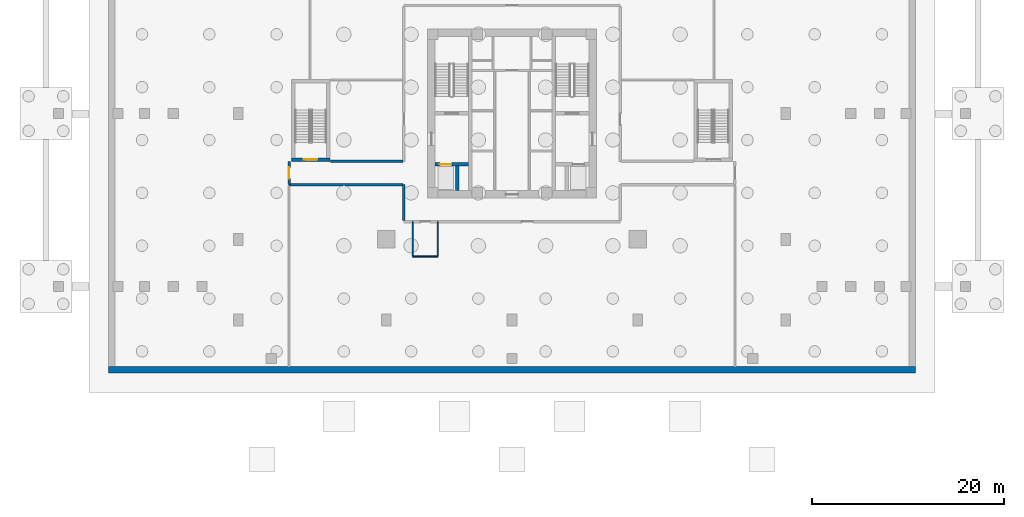
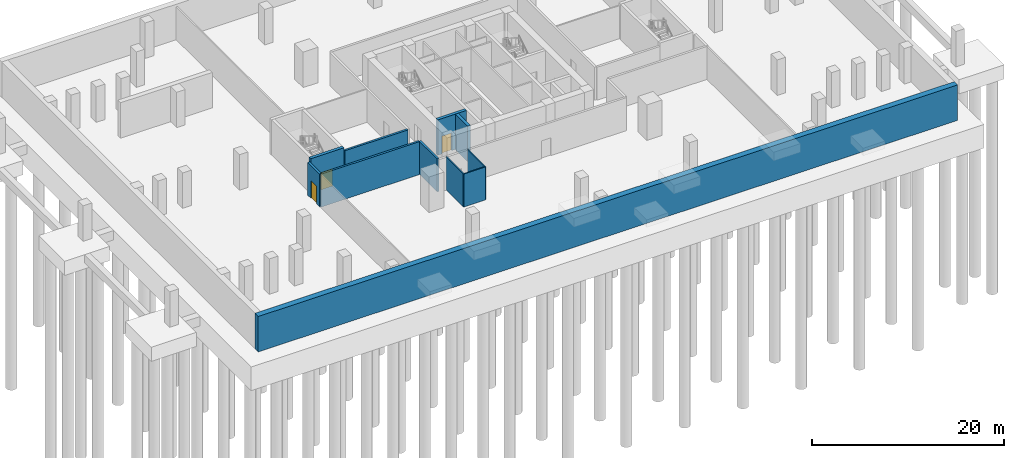
# One storey, part 3 of 8: 11 walls, 3 doors, 3 openings.
"""IFC4 building model written with IfcOpenShell, lengths in metres."""

from ifc_helpers import new_model, si_unit, direction, frame, frame_2d, origin, place, context, subcontext, project, spatial, rectangle, extrude, source, transform, mapped, material, layer, layer_set, type_object, element, fill, save


model = new_model("IFC4")

# Units and contexts
model_context = context("Model", 3, precision=1e-05, world=origin(), true_north=direction((0.0, 1.0)))
body_context = subcontext(model_context, "Body", "Model", "MODEL_VIEW")
ifc_project = project(units=[si_unit("LENGTHUNIT", "METRE"), si_unit("AREAUNIT", "SQUARE_METRE"), si_unit("VOLUMEUNIT", "CUBIC_METRE"), si_unit("PLANEANGLEUNIT", "RADIAN"), si_unit("MASSUNIT", "GRAM", prefix="KILO"), si_unit("THERMODYNAMICTEMPERATUREUNIT", "KELVIN")], contexts=[model_context])

# Site, building, storey
site_placement = place(None, origin())
site = spatial("IfcSite", under=ifc_project, at=site_placement, CompositionType="ELEMENT")
building_placement = place(site_placement, origin())
building = spatial("IfcBuilding", under=site, at=building_placement, Name="Kosmvard Interchange Tower", CompositionType="ELEMENT")
storey_placement = place(building_placement, frame((0.0, 0.0, -9.0)))
storey = spatial("IfcBuildingStorey", under=building, at=storey_placement, Name="B02", CompositionType="ELEMENT", Elevation=-9.0)

# Walls
ifc_material_1 = material(Name="Concrete C50/60", Category="concrete")
ifc_layer_1 = layer(ifc_material_1, 0.699951171875, Name="Concrete C50/60")
ifc_layer_set_1 = layer_set([ifc_layer_1], Name="Concrete C50/60")
wall_type_1 = type_object("IfcWallType", Name="Basement Perimeter Retaining Wall 700 C50/60", PredefinedType="USERDEFINED", material=ifc_layer_set_1)
wall_1_placement = place(storey_placement, frame((-42.0, -26.64990234375, 0.0), z_axis=(0.0, 0.0, 1.0), x_axis=(1.0, 0.0, 0.0)))
element("IfcWall", 1, at=wall_1_placement, inside=storey, type_object=wall_type_1, Name="B02 Basement Retaining Wall RW-S", ObjectType="RETAINING", PredefinedType="USERDEFINED", context=body_context, shape_type="SweptSolid", body=[
    extrude(rectangle(XDim=84.0, YDim=0.699951171875, at=frame_2d((42.0, 0.0))), origin(), (0.0, 0.0, 1.0), 4.5),
])
ifc_material_2 = material(Name="Concrete blockwork masonry", Category="masonry")
ifc_layer_2 = layer(ifc_material_2, 0.25, Name="Concrete blockwork masonry")
ifc_layer_set_2 = layer_set([ifc_layer_2], Name="Concrete blockwork masonry")
wall_type_2 = type_object("IfcWallType", Name="Exit Passage & Firefighting Lobby Wall 250", PredefinedType="PARTITIONING", material=ifc_layer_set_2)
wall_2_placement = place(storey_placement, frame((-11.25, -11.14990234375, 0.0), z_axis=(0.0, 0.0, 1.0), x_axis=(0.0, 1.0, 0.0)))
element("IfcWall", 2, at=wall_2_placement, inside=storey, type_object=wall_type_2, Name="B02 Corridor Wall CWS", PredefinedType="PARTITIONING", context=body_context, shape_type="SweptSolid", body=[
    extrude(rectangle(XDim=3.75, YDim=0.25, at=frame_2d((1.875, 0.0))), origin(), (0.0, 0.0, 1.0), 4.179931640625),
])
wall_3_placement = place(storey_placement, frame((-23.199951171875, -7.39990234375, 0.0), z_axis=(0.0, 0.0, 1.0), x_axis=(1.0, 0.0, 0.0)))
element("IfcWall", 3, at=wall_3_placement, inside=storey, type_object=wall_type_2, Name="B02 Corridor Wall SWS", PredefinedType="PARTITIONING", context=body_context, shape_type="SweptSolid", body=[
    extrude(rectangle(XDim=11.849853515625, YDim=0.25, at=frame_2d((5.9248046875, 0.0))), origin(), (0.0, 0.0, 1.0), 4.179931640625),
])
wall_4_placement = place(storey_placement, frame((-18.89990234375, -4.9599609375, 0.0), z_axis=(0.0, 0.0, 1.0), x_axis=(1.0, 0.0, 0.0)))
element("IfcWall", 4, at=wall_4_placement, inside=storey, type_object=wall_type_2, Name="B02 Corridor Wall SWN", PredefinedType="PARTITIONING", context=body_context, shape_type="SweptSolid", body=[
    extrude(rectangle(XDim=7.5498046875, YDim=0.25, at=frame_2d((3.77490234375, 0.0))), origin(), (0.0, 0.0, 1.0), 4.179931640625),
])

# Wall, opening, door
wall_5_placement = place(storey_placement, frame((-23.199951171875, -7.39990234375, 0.0), z_axis=(0.0, 0.0, 1.0), x_axis=(0.0, 1.0, 0.0)))
wall_5 = element("IfcWall", 5, at=wall_5_placement, inside=storey, type_object=wall_type_2, Name="B02 Corridor Wall SWE", PredefinedType="PARTITIONING", context=body_context, shape_type="SweptSolid", body=[
    extrude(rectangle(XDim=2.43994140625, YDim=0.25, at=frame_2d((1.219970703125, 0.0))), origin(), (0.0, 0.0, 1.0), 4.179931640625),
])
opening_1_placement = place(wall_5_placement, frame((0.64501953125, 0.0, 0.0)))
opening_1 = element("IfcOpeningElement", 6, at=opening_1_placement, cuts=wall_5, Name="Opening B02-D04", PredefinedType="OPENING", context=body_context, shape_type="SweptSolid", body=[
    extrude(rectangle(XDim=1.14990234375, YDim=2.25, at=frame_2d((0.574951171875, 1.125))), frame((0.0, 0.135009765625, 0.0), z_axis=(0.0, -1.0, 0.0), x_axis=(1.0, 0.0, 0.0)), (0.0, 0.0, 1.0), 0.27001953125),
])
ifc_material_3 = material(Name="Painted fire-rated steel leaf", Category="steel")
door_type_1 = type_object("IfcDoorType", Name="Plant & Riser Fire Door 1150x2250 EI60", OperationType="NOTDEFINED", PredefinedType="DOOR", material=ifc_material_3)
shared_shape_1 = source(origin(), body_context, "Body", "SweptSolid", [
    extrude(rectangle(XDim=1.14990234375, YDim=2.25, at=frame_2d((0.574951171875, 1.125))), frame((0.0, 0.02490234375, 0.0), z_axis=(0.0, -1.0, 0.0), x_axis=(1.0, 0.0, 0.0)), (0.0, 0.0, 1.0), 0.050048828125),
])
door_1_placement = place(opening_1_placement, origin())
door_1 = element("IfcDoor", 7, at=door_1_placement, inside=storey, type_object=door_type_1, Name="B02 Fire Water Reserve Tank Room Door", OperationType="SINGLE_SWING_RIGHT", OverallHeight=2.25, OverallWidth=1.14990234375, PredefinedType="DOOR", context=body_context, shape_type="MappedRepresentation", body=[
    mapped(shared_shape_1, transform((0.0, 0.0, 0.0), scale=1.0)),
])
fill(opening_1, door_1)

ifc_material_4 = material(Name="Concrete C60/75", Category="concrete")
ifc_layer_3 = layer(ifc_material_4, 0.360107421875, Name="Concrete C60/75")
ifc_layer_set_3 = layer_set([ifc_layer_3], Name="Concrete C60/75")
wall_type_3 = type_object("IfcWallType", Name="Stair & Lift Shaft Shear Wall 360 C60/75", PredefinedType="SHEAR", material=ifc_layer_set_3)
wall_6_placement = place(storey_placement, frame((-8.0, -5.280029296875, 0.0), z_axis=(0.0, 0.0, 1.0), x_axis=(1.0, 0.0, 0.0)))
wall_6 = element("IfcWall", 8, at=wall_6_placement, inside=storey, type_object=wall_type_3, Name="B02 Shaft Shear Wall SW-FF1", PredefinedType="SHEAR", context=body_context, shape_type="SweptSolid", body=[
    extrude(rectangle(XDim=3.4599609375, YDim=0.360107421875, at=frame_2d((1.72998046875, 0.0))), origin(), (0.0, 0.0, 1.0), 4.5),
])
opening_2_placement = place(wall_6_placement, frame((0.5, 0.0, 0.0)))
opening_2 = element("IfcOpeningElement", 9, at=opening_2_placement, cuts=wall_6, Name="Opening LD-FF-1-B02", PredefinedType="OPENING", context=body_context, shape_type="SweptSolid", body=[
    extrude(rectangle(XDim=1.199951171875, YDim=2.25, at=frame_2d((0.60009765625, 1.125))), frame((0.0, 0.18994140625, 0.0), z_axis=(0.0, -1.0, 0.0), x_axis=(1.0, 0.0, 0.0)), (0.0, 0.0, 1.0), 0.380126953125),
])
ifc_material_5 = material(Name="Brushed stainless steel sliding leaf", Category="steel")
door_type_2 = type_object("IfcDoorType", Name="Firefighting Lift Sliding Landing Door 1200x2250 EI120", OperationType="DOUBLE_DOOR_SLIDING", PredefinedType="DOOR", material=ifc_material_5)
shared_shape_2 = source(origin(), body_context, "Body", "SweptSolid", [
    extrude(rectangle(XDim=1.199951171875, YDim=2.25, at=frame_2d((0.60009765625, 1.125))), frame((0.0, 0.02490234375, 0.0), z_axis=(0.0, -1.0, 0.0), x_axis=(1.0, 0.0, 0.0)), (0.0, 0.0, 1.0), 0.050048828125),
])
door_2_placement = place(opening_2_placement, origin())
door_2 = element("IfcDoor", 10, at=door_2_placement, inside=storey, type_object=door_type_2, Name="Lift FF-1 Landing Door B02", OperationType="DOUBLE_DOOR_SLIDING", OverallHeight=2.25, OverallWidth=1.199951171875, PredefinedType="DOOR", context=body_context, shape_type="MappedRepresentation", body=[
    mapped(shared_shape_2, transform((0.0, 0.0, 0.0), scale=1.0)),
])
fill(opening_2, door_2)

# Wall
wall_7_placement = place(storey_placement, frame((-5.7099609375, -8.0, 0.0), z_axis=(0.0, 0.0, 1.0), x_axis=(0.0, 1.0, 0.0)))
element("IfcWall", 11, at=wall_7_placement, inside=storey, type_object=wall_type_3, Name="B02 Shaft Shear Wall SW-SM1", PredefinedType="SHEAR", context=body_context, shape_type="SweptSolid", body=[
    extrude(rectangle(XDim=2.5400390625, YDim=0.360107421875, at=frame_2d((1.27001953125, 0.0))), origin(), (0.0, 0.0, 1.0), 4.5),
])

# Wall, opening, door
wall_8_placement = place(storey_placement, frame((-22.93994140625, -4.780029296875, 0.0), z_axis=(0.0, 0.0, 1.0), x_axis=(1.0, 0.0, 0.0)))
wall_8 = element("IfcWall", 12, at=wall_8_placement, inside=storey, type_object=wall_type_3, Name="B02 Podium Stair Shear Wall ST3S", PredefinedType="SHEAR", context=body_context, shape_type="SweptSolid", body=[
    extrude(rectangle(XDim=3.97998046875, YDim=0.360107421875, at=frame_2d((1.989990234375, 0.0))), origin(), (0.0, 0.0, 1.0), 4.5),
])
opening_3_placement = place(wall_8_placement, frame((1.2900390625, 0.0, 0.0)))
opening_3 = element("IfcOpeningElement", 13, at=opening_3_placement, cuts=wall_8, Name="Opening B02-SD3", PredefinedType="OPENING", context=body_context, shape_type="SweptSolid", body=[
    extrude(rectangle(XDim=1.39990234375, YDim=2.199951171875, at=frame_2d((0.699951171875, 1.10009765625))), frame((0.0, 0.18994140625, 0.0), z_axis=(0.0, -1.0, 0.0), x_axis=(1.0, 0.0, 0.0)), (0.0, 0.0, 1.0), 0.380126953125),
])
door_type_3 = type_object("IfcDoorType", Name="Protected Stair Door 1400x2200 FD60S", OperationType="NOTDEFINED", PredefinedType="DOOR", material=ifc_material_3)
shared_shape_3 = source(origin(), body_context, "Body", "SweptSolid", [
    extrude(rectangle(XDim=1.39990234375, YDim=2.199951171875, at=frame_2d((0.699951171875, 1.10009765625))), frame((0.0, 0.02490234375, 0.0), z_axis=(0.0, -1.0, 0.0), x_axis=(1.0, 0.0, 0.0)), (0.0, 0.0, 1.0), 0.050048828125),
])
door_3_placement = place(opening_3_placement, origin())
door_3 = element("IfcDoor", 14, at=door_3_placement, inside=storey, type_object=door_type_3, Name="B02 Podium Stair ST3 Door", OperationType="SINGLE_SWING_LEFT", OverallHeight=2.199951171875, OverallWidth=1.39990234375, PredefinedType="DOOR", context=body_context, shape_type="MappedRepresentation", body=[
    mapped(shared_shape_3, transform((0.0, 0.0, 0.0), scale=1.0)),
])
fill(opening_3, door_3)

# Walls
ifc_material_6 = material(Name="Moisture-resistant gypsum partition")
ifc_layer_4 = layer(ifc_material_6, 0.135009765625, Name="Moisture-resistant gypsum partition")
ifc_layer_set_4 = layer_set([ifc_layer_4], Name="Moisture-resistant gypsum partition")
wall_type_4 = type_object("IfcWallType", Name="Wet Room Moisture-Resistant Partition 135", PredefinedType="PARTITIONING", material=ifc_layer_set_4)
wall_9_placement = place(storey_placement, frame((-10.320068359375, -14.8701171875, 0.0), z_axis=(0.0, 0.0, 1.0), x_axis=(1.0, 0.0, 0.0)))
element("IfcWall", 15, at=wall_9_placement, inside=storey, type_object=wall_type_4, Name="B02 Washroom Partition WC1-S", PredefinedType="PARTITIONING", context=body_context, shape_type="SweptSolid", body=[
    extrude(rectangle(XDim=2.60009765625, YDim=0.135009765625, at=frame_2d((1.300048828125, 0.0))), origin(), (0.0, 0.0, 1.0), 4.179931640625),
])
for number, where, z_axis, x_axis, name in (
    (16, (-7.719970703125, -14.8701171875, 0.0), (0.0, 0.0, 1.0), (0.0, 1.0, 0.0), "B02 Washroom Partition WC1-E"),
    (17, (-10.320068359375, -14.8701171875, 0.0), (0.0, 0.0, 1.0), (0.0, 1.0, 0.0), "B02 Washroom Partition WC1-W"),
):
    element("IfcWall", number, at=place(storey_placement, frame(where, z_axis=z_axis, x_axis=x_axis)), inside=storey, type_object=wall_type_4, Name=name, PredefinedType="PARTITIONING", context=body_context, shape_type="SweptSolid", body=[
        extrude(rectangle(XDim=3.60009765625, YDim=0.135009765625, at=frame_2d((1.800048828125, 0.0))), origin(), (0.0, 0.0, 1.0), 4.179931640625),
    ])

save(model, "model.ifc")
